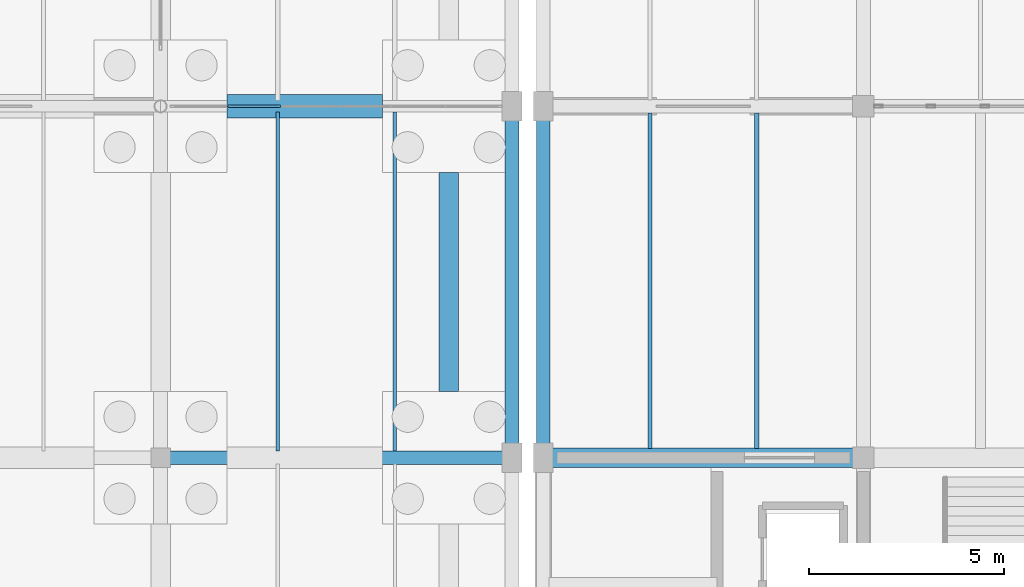
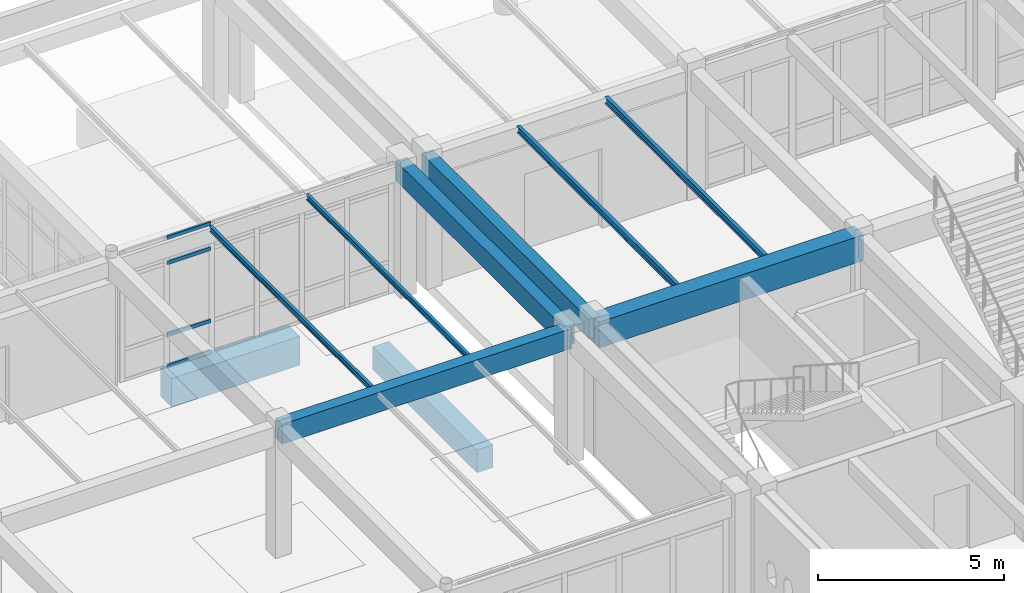
# One storey, part 74 of 186: 10 beams, 4 members, 1 element without a shape of its own.
"""IFC4 building model written with IfcOpenShell, lengths in metres."""

from ifc_helpers import new_model, si_unit, direction, frame, origin, origin_2d, place, context, subcontext, project, spatial, rectangle, hollow_rectangle, i_section, extrude, material, layer, layer_set, material_profile, profile_set, type_object, element, aggregate, save


model = new_model("IFC4")

# Units and contexts
model_context = context("Model", 3, precision=1e-05, world=origin(), true_north=direction((0.0, 1.0)))
body_context = subcontext(model_context, "Body", "Model", "MODEL_VIEW")
ifc_project = project(units=[si_unit("LENGTHUNIT", "METRE"), si_unit("AREAUNIT", "SQUARE_METRE"), si_unit("VOLUMEUNIT", "CUBIC_METRE"), si_unit("PLANEANGLEUNIT", "RADIAN"), si_unit("MASSUNIT", "GRAM", prefix="KILO")], contexts=[model_context])

# Site, building, storey
site_placement = place(None, origin())
site = spatial("IfcSite", under=ifc_project, at=site_placement, CompositionType="ELEMENT")
building_placement = place(site_placement, origin())
building = spatial("IfcBuilding", under=site, at=building_placement, Name="Ornek Quay Market", CompositionType="ELEMENT")
storey_placement = place(building_placement, origin())
storey = spatial("IfcBuildingStorey", under=building, at=storey_placement, Name="L00", CompositionType="ELEMENT", Elevation=0.0)

# Beams
ifc_material_1 = material(Name="Concrete C35/45", Category="concrete")
ifc_material_profile_1 = material_profile(ifc_material_1, rectangle(XDim=0.35009765625, YDim=0.64990234375, at=origin_2d()), Name="RC 350x650", Category="concrete")
ifc_profile_set_1 = profile_set([ifc_material_profile_1], Name="Concrete C35/45")
beam_type_1 = type_object("IfcBeamType", Name="BM-CONC-350x650", PredefinedType="BEAM", material=ifc_profile_set_1)
for number, where, z_axis, x_axis, name in (
    (1, (45.0, 101.0, 3.945068359375), (1.0, 0.0, 0.0), (0.0, 1.0, 0.0), "Primary beam B-CN1-057"),
    (2, (54.0, 101.0, 3.945068359375), (0.0, 1.0, 0.0), (-1.0, 0.0, 0.0), "Primary beam B-CN1-063"),
    (3, (54.800048828125, 101.0, 3.9150390625), (0.0, 1.0, 0.0), (-1.0, 0.0, 0.0), "Primary beam B-CN1-098"),
):
    element("IfcBeam", number, at=place(storey_placement, frame(where, z_axis=z_axis, x_axis=x_axis)), inside=storey, type_object=beam_type_1, Name=name, PredefinedType="BEAM", context=body_context, shape_type="SweptSolid", body=[
        extrude(rectangle(XDim=0.35009765625, YDim=0.64990234375, at=origin_2d()), origin(), (0.0, 0.0, 1.0), 9.0),
    ])
ifc_material_2 = material(Name="Concrete C40/50", Category="concrete")
ifc_material_profile_2 = material_profile(ifc_material_2, rectangle(XDim=0.5, YDim=0.85009765625, at=origin_2d()), Name="RC 500x850", Category="concrete")
ifc_profile_set_2 = profile_set([ifc_material_profile_2], Name="Concrete C40/50")
beam_type_2 = type_object("IfcBeamType", Name="BM-GAL-500x850", PredefinedType="BEAM", material=ifc_profile_set_2)
beam_1_placement = place(storey_placement, frame((54.800048828125, 101.0, 3.81494140625), z_axis=(1.0, 0.0, 0.0), x_axis=(0.0, 1.0, 0.0)))
element("IfcBeam", 4, at=beam_1_placement, inside=storey, type_object=beam_type_2, Name="Primary beam B-GL1-058", PredefinedType="BEAM", context=body_context, shape_type="SweptSolid", body=[
    extrude(rectangle(XDim=0.5, YDim=0.85009765625, at=origin_2d()), origin(), (0.0, 0.0, 1.0), 8.199951171875),
])
ifc_material_profile_3 = material_profile(ifc_material_1, rectangle(XDim=0.5, YDim=0.75, at=origin_2d()), Name="RC 500x750", Category="concrete")
ifc_profile_set_3 = profile_set([ifc_material_profile_3], Name="Concrete C35/45")
beam_type_3 = type_object("IfcBeamType", Name="BM-GB-500x750", PredefinedType="BEAM", material=ifc_profile_set_3)
beam_2_placement = place(storey_placement, frame((52.3798828125, 102.699951171875, -0.574951171875), z_axis=(0.0, 1.0, 0.0), x_axis=(-1.0, 0.0, 0.0)))
element("IfcBeam", 5, at=beam_2_placement, inside=storey, type_object=beam_type_3, Name="Ground tie beam GB-112", PredefinedType="BEAM", context=body_context, shape_type="SweptSolid", body=[
    extrude(rectangle(XDim=0.5, YDim=0.75, at=origin_2d()), origin(), (0.0, 0.0, 1.0), 5.60009765625),
])
ifc_material_profile_4 = material_profile(ifc_material_1, rectangle(XDim=0.60009765625, YDim=0.949951171875, at=origin_2d()), Name="RC 600x950", Category="concrete")
ifc_profile_set_4 = profile_set([ifc_material_profile_4], Name="Concrete C35/45")
beam_type_4 = type_object("IfcBeamType", Name="BM-GB-600x950", PredefinedType="BEAM", material=ifc_profile_set_4)
beam_3_placement = place(storey_placement, frame((46.699951171875, 110.0, -0.675048828125), z_axis=(1.0, 0.0, 0.0), x_axis=(0.0, 1.0, 0.0)))
element("IfcBeam", 6, at=beam_3_placement, inside=storey, type_object=beam_type_4, Name="Ground tie beam GB-047", PredefinedType="BEAM", context=body_context, shape_type="SweptSolid", body=[
    extrude(rectangle(XDim=0.60009765625, YDim=0.949951171875, at=origin_2d()), origin(), (0.0, 0.0, 1.0), 3.97998046875),
])
ifc_material_3 = material(Name="Steel S355", Category="steel")
ifc_material_profile_5 = material_profile(ifc_material_3, i_section(OverallWidth=0.091064453125, OverallDepth=0.179931640625, WebThickness=0.00537109375, FlangeThickness=0.008056640625, FilletRadius=0.009033203125, at=origin_2d()), Name="IPE 180", Category="steel")
ifc_profile_set_5 = profile_set([ifc_material_profile_5], Name="Steel S355")
beam_type_5 = type_object("IfcBeamType", Name="BM-STL-IPE180", PredefinedType="JOIST", material=ifc_profile_set_5)
for number, where, z_axis, x_axis, name in (
    (7, (48.0, 101.1669921875, 4.179931640625), (0.0, 1.0, 0.0), (-1.0, 0.0, 0.0), "Secondary joist SB-01-003"),
    (8, (51.0, 101.1669921875, 4.179931640625), (0.0, 1.0, 0.0), (-1.0, 0.0, 0.0), "Secondary joist SB-01-004"),
):
    element("IfcBeam", number, at=place(storey_placement, frame(where, z_axis=z_axis, x_axis=x_axis)), inside=storey, type_object=beam_type_5, Name=name, PredefinedType="JOIST", context=body_context, shape_type="SweptSolid", body=[
        extrude(i_section(OverallWidth=0.091064453125, OverallDepth=0.179931640625, WebThickness=0.00537109375, FlangeThickness=0.008056640625, FilletRadius=0.009033203125, at=origin_2d()), origin(), (0.0, 0.0, 1.0), 8.69091796875),
    ])
ifc_material_profile_6 = material_profile(ifc_material_3, i_section(OverallWidth=0.110107421875, OverallDepth=0.219970703125, WebThickness=0.005859375, FlangeThickness=0.00927734375, FilletRadius=0.011962890625, at=origin_2d()), Name="IPE 220", Category="steel")
ifc_profile_set_6 = profile_set([ifc_material_profile_6], Name="Steel S355")
beam_type_6 = type_object("IfcBeamType", Name="BM-STL-IPE220", PredefinedType="JOIST", material=ifc_profile_set_6)
for number, where, z_axis, x_axis, name in (
    (9, (57.533203125, 101.241943359375, 4.1298828125), (0.0, 1.0, 0.0), (-1.0, 0.0, 0.0), "Secondary joist SB-03-014"),
    (10, (60.2666015625, 101.241943359375, 4.1298828125), (0.0, 1.0, 0.0), (-1.0, 0.0, 0.0), "Secondary joist SB-03-015"),
):
    element("IfcBeam", number, at=place(storey_placement, frame(where, z_axis=z_axis, x_axis=x_axis)), inside=storey, type_object=beam_type_6, Name=name, PredefinedType="JOIST", context=body_context, shape_type="SweptSolid", body=[
        extrude(i_section(OverallWidth=0.110107421875, OverallDepth=0.219970703125, WebThickness=0.005859375, FlangeThickness=0.00927734375, FilletRadius=0.011962890625, at=origin_2d()), origin(), (0.0, 0.0, 1.0), 8.591064453125),
    ])

# Curtain wall, members
ifc_material_4 = material(Name="Anodised bronze aluminium and triple low-e glass", Category="aluminium")
ifc_layer = layer(ifc_material_4, 0.179931640625, Name="Anodised bronze aluminium and triple low-e glass", Category="aluminium")
ifc_layer_set = layer_set([ifc_layer], Name="Anodised bronze aluminium and triple low-e glass")
curtain_wall_type = type_object("IfcCurtainWallType", Name="CW-CONC-MOD1500", PredefinedType="USERDEFINED", material=ifc_layer_set)
curtain_wall_placement = place(storey_placement, origin())
curtain_wall = element("IfcCurtainWall", 11, at=curtain_wall_placement, inside=storey, type_object=curtain_wall_type, Name="Curtain wall CW-009", ObjectType="CURTAIN WALL", PredefinedType="USERDEFINED")
ifc_material_5 = material(Name="Anodised aluminium 6063-T6", Category="aluminium")
ifc_material_profile_7 = material_profile(ifc_material_5, hollow_rectangle(XDim=0.06005859375, YDim=0.1201171875, WallThickness=0.00390625, at=origin_2d()), Name="CW-TRN-60x120", Category="aluminium")
ifc_profile_set_7 = profile_set([ifc_material_profile_7], Name="Anodised aluminium 6063-T6")
member_type = type_object("IfcMemberType", Name="CW-TRN-60x120", PredefinedType="USERDEFINED", material=ifc_profile_set_7)
member_1_placement = place(storey_placement, frame((46.72998046875, 110.0, 0.030029296875), z_axis=(1.0, 0.0, 0.0), x_axis=(0.0, 1.0, 0.0)))
member_1 = element("IfcMember", 12, at=member_1_placement, type_object=member_type, Name="CW-009 transom 2.1", ObjectType="TRANSOM", PredefinedType="USERDEFINED", context=body_context, shape_type="SweptSolid", body=[
    extrude(hollow_rectangle(XDim=0.06005859375, YDim=0.1201171875, WallThickness=0.00390625, at=origin_2d()), origin(), (0.0, 0.0, 1.0), 1.340087890625),
])
member_2_placement = place(storey_placement, frame((46.72998046875, 110.0, 1.050048828125), z_axis=(1.0, 0.0, 0.0), x_axis=(0.0, 1.0, 0.0)))
member_2 = element("IfcMember", 13, at=member_2_placement, type_object=member_type, Name="CW-009 transom 2.2", ObjectType="TRANSOM", PredefinedType="USERDEFINED", context=body_context, shape_type="SweptSolid", body=[
    extrude(hollow_rectangle(XDim=0.06005859375, YDim=0.1201171875, WallThickness=0.00390625, at=origin_2d()), origin(), (0.0, 0.0, 1.0), 1.340087890625),
])
member_3_placement = place(storey_placement, frame((46.72998046875, 110.0, 3.419921875), z_axis=(1.0, 0.0, 0.0), x_axis=(0.0, 1.0, 0.0)))
member_3 = element("IfcMember", 14, at=member_3_placement, type_object=member_type, Name="CW-009 transom 2.3", ObjectType="TRANSOM", PredefinedType="USERDEFINED", context=body_context, shape_type="SweptSolid", body=[
    extrude(hollow_rectangle(XDim=0.06005859375, YDim=0.1201171875, WallThickness=0.00390625, at=origin_2d()), origin(), (0.0, 0.0, 1.0), 1.340087890625),
])
member_4_placement = place(storey_placement, frame((46.72998046875, 110.0, 4.239990234375), z_axis=(1.0, 0.0, 0.0), x_axis=(0.0, 1.0, 0.0)))
member_4 = element("IfcMember", 15, at=member_4_placement, type_object=member_type, Name="CW-009 transom 2.4", ObjectType="TRANSOM", PredefinedType="USERDEFINED", context=body_context, shape_type="SweptSolid", body=[
    extrude(hollow_rectangle(XDim=0.06005859375, YDim=0.1201171875, WallThickness=0.00390625, at=origin_2d()), origin(), (0.0, 0.0, 1.0), 1.340087890625),
])
aggregate(curtain_wall, [member_1, member_2, member_3, member_4])

save(model, "model.ifc")
